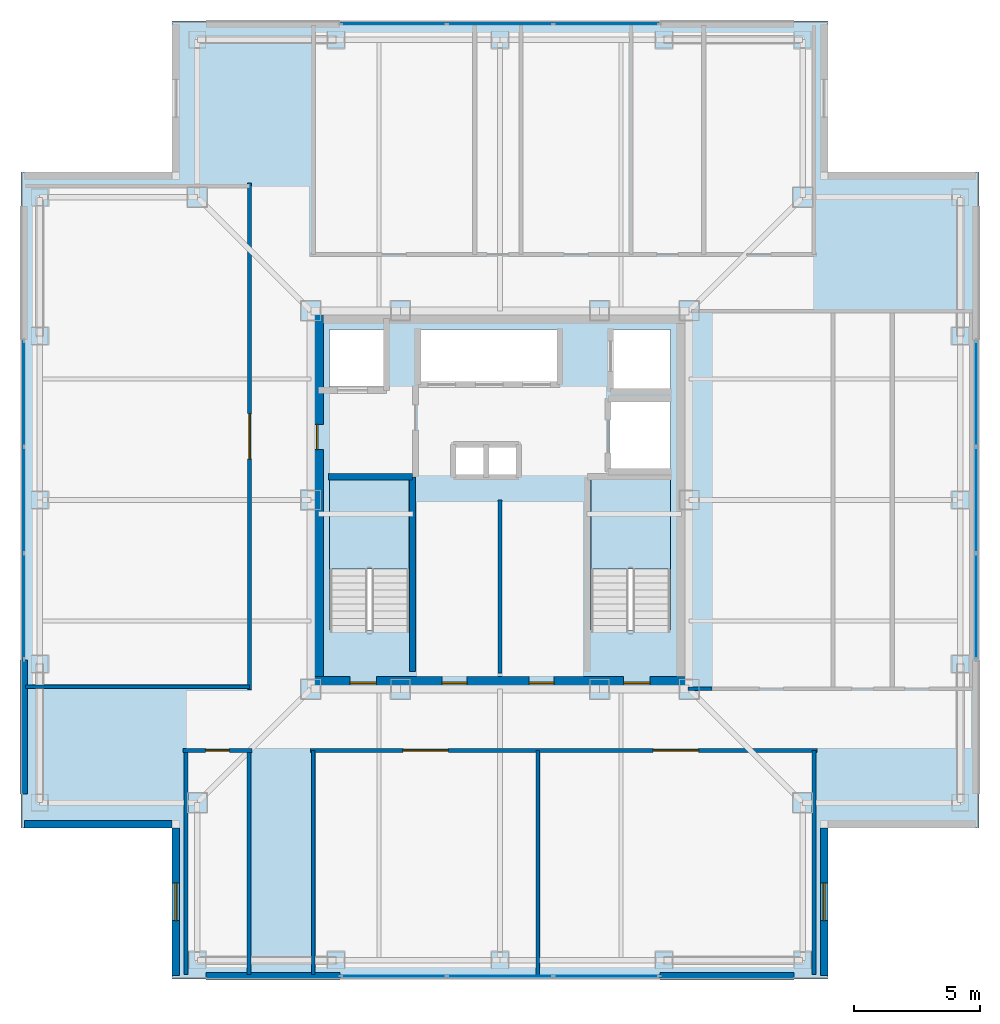
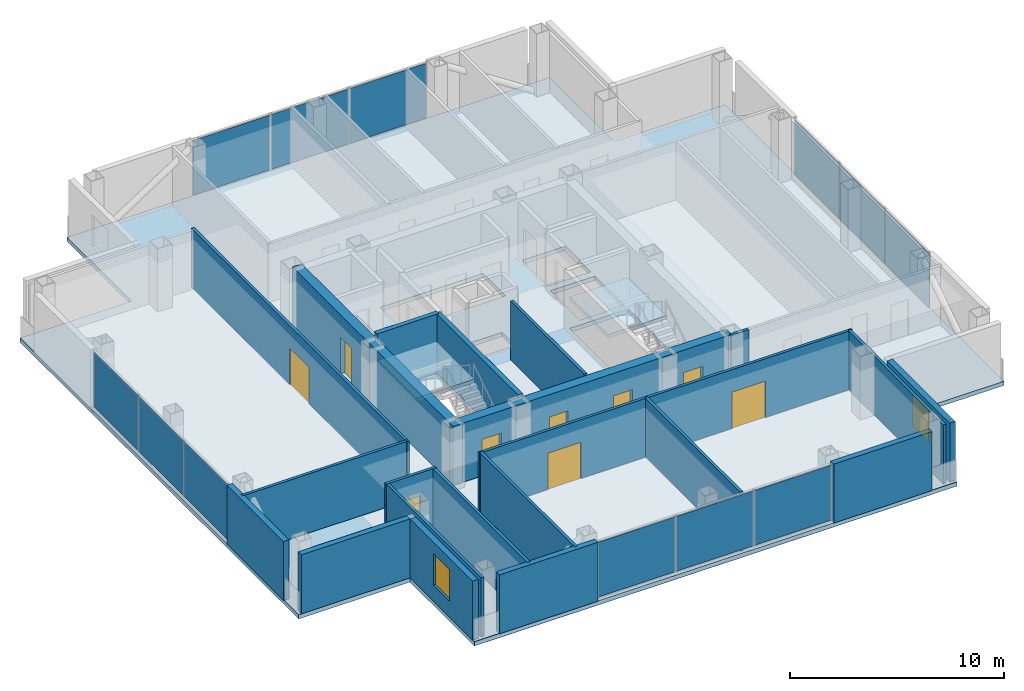
# One storey, part 8 of 16: 21 walls, 12 plates, 9 doors, 3 slabs, 2 windows, 11 openings, 6 elements without a shape of their own.
"""IFC4 building model written with IfcOpenShell, lengths in metres."""

from ifc_helpers import new_model, si_unit, direction, frame, frame_2d, origin, origin_2d, place, context, subcontext, project, spatial, polyline, rectangle, outline, extrude, material, layer, layer_set, type_object, element, fill, aggregate, save


model = new_model("IFC4")

# Units and contexts
model_context = context("Model", 3, precision=1e-05, world=origin(), true_north=direction((0.0, 1.0)))
body_context = subcontext(model_context, "Body", "Model", "MODEL_VIEW")
ifc_project = project(units=[si_unit("LENGTHUNIT", "METRE"), si_unit("AREAUNIT", "SQUARE_METRE"), si_unit("VOLUMEUNIT", "CUBIC_METRE"), si_unit("PLANEANGLEUNIT", "RADIAN"), si_unit("MASSUNIT", "GRAM", prefix="KILO")], contexts=[model_context])

# Site, building, storey
site_placement = place(None, origin())
site = spatial("IfcSite", under=ifc_project, at=site_placement, CompositionType="ELEMENT")
building_placement = place(site_placement, origin())
building = spatial("IfcBuilding", under=site, at=building_placement, Name="Trevonay Congress Spire", CompositionType="ELEMENT")
storey_placement = place(building_placement, frame((0.0, 0.0, 268.39990234375)))
storey = spatial("IfcBuildingStorey", under=building, at=storey_placement, Name="L70", CompositionType="ELEMENT", Elevation=268.39990234375)

# Curtain wall, plates
ifc_material_1 = material(Name="Pale Anodised Aluminium EN AW-6063-T6", Category="aluminium")
ifc_layer_1 = layer(ifc_material_1, 0.1650390625, Name="Pale Anodised Aluminium EN AW-6063-T6")
ifc_layer_set_1 = layer_set([ifc_layer_1], Name="Pale Anodised Aluminium EN AW-6063-T6")
curtain_wall_type = type_object("IfcCurtainWallType", Name="CW-SYS05-DIPLOM-PALE-METAL", PredefinedType="NOTDEFINED", material=ifc_layer_set_1)
curtain_wall_1_placement = place(storey_placement, origin())
curtain_wall_1 = element("IfcCurtainWall", 1, at=curtain_wall_1_placement, inside=storey, type_object=curtain_wall_type, Name="L70 S unitised curtain wall", PredefinedType="NOTDEFINED")
ifc_material_2 = material(Name="Insulated Low-E Vision Glass IGU", Category="glass")
ifc_layer_2 = layer(ifc_material_2, 0.035888671875, Name="Insulated Low-E Vision Glass IGU")
ifc_layer_set_2 = layer_set([ifc_layer_2], Name="Insulated Low-E Vision Glass IGU")
plate_type = type_object("IfcPlateType", Name="CW-PANEL-IGU36-SILVER", PredefinedType="CURTAIN_PANEL", material=ifc_layer_set_2)
plate_1_placement = place(storey_placement, frame((-4.21826171875, -18.8798828125, 0.1201171875), z_axis=(0.0, 0.0, 1.0), x_axis=(1.0, 0.0, 0.0)))
plate_1 = element("IfcPlate", 2, at=plate_1_placement, type_object=plate_type, Name="CW05 panel 1.1", PredefinedType="CURTAIN_PANEL", context=body_context, shape_type="SweptSolid", body=[
    extrude(rectangle(XDim=4.143310546875, YDim=0.035888671875, at=origin_2d()), origin(), (0.0, 0.0, 1.0), 3.1201171875),
])
plate_2_placement = place(storey_placement, frame((0.0, -18.8798828125, 0.1201171875), z_axis=(0.0, 0.0, 1.0), x_axis=(1.0, 0.0, 0.0)))
plate_2 = element("IfcPlate", 3, at=plate_2_placement, type_object=plate_type, Name="CW05 panel 2.1", PredefinedType="CURTAIN_PANEL", context=body_context, shape_type="SweptSolid", body=[
    extrude(rectangle(XDim=4.17333984375, YDim=0.035888671875, at=origin_2d()), origin(), (0.0, 0.0, 1.0), 3.1201171875),
])
plate_3_placement = place(storey_placement, frame((4.21826171875, -18.8798828125, 0.1201171875), z_axis=(0.0, 0.0, 1.0), x_axis=(1.0, 0.0, 0.0)))
plate_3 = element("IfcPlate", 4, at=plate_3_placement, type_object=plate_type, Name="CW05 panel 3.1", PredefinedType="CURTAIN_PANEL", context=body_context, shape_type="SweptSolid", body=[
    extrude(rectangle(XDim=4.143310546875, YDim=0.035888671875, at=origin_2d()), origin(), (0.0, 0.0, 1.0), 3.1201171875),
])
aggregate(curtain_wall_1, [plate_1, plate_2, plate_3])

curtain_wall_2_placement = place(storey_placement, origin())
curtain_wall_2 = element("IfcCurtainWall", 5, at=curtain_wall_2_placement, inside=storey, type_object=curtain_wall_type, Name="L70 N unitised curtain wall", PredefinedType="NOTDEFINED")
plate_4_placement = place(storey_placement, frame((-4.21826171875, 18.8798828125, 0.1201171875), z_axis=(0.0, 0.0, 1.0), x_axis=(1.0, 0.0, 0.0)))
plate_4 = element("IfcPlate", 6, at=plate_4_placement, type_object=plate_type, Name="CW05 panel 1.1", PredefinedType="CURTAIN_PANEL", context=body_context, shape_type="SweptSolid", body=[
    extrude(rectangle(XDim=4.143310546875, YDim=0.035888671875, at=origin_2d()), origin(), (0.0, 0.0, 1.0), 3.1201171875),
])
plate_5_placement = place(storey_placement, frame((0.0, 18.8798828125, 0.1201171875), z_axis=(0.0, 0.0, 1.0), x_axis=(1.0, 0.0, 0.0)))
plate_5 = element("IfcPlate", 7, at=plate_5_placement, type_object=plate_type, Name="CW05 panel 2.1", PredefinedType="CURTAIN_PANEL", context=body_context, shape_type="SweptSolid", body=[
    extrude(rectangle(XDim=4.17333984375, YDim=0.035888671875, at=origin_2d()), origin(), (0.0, 0.0, 1.0), 3.1201171875),
])
plate_6_placement = place(storey_placement, frame((4.21826171875, 18.8798828125, 0.1201171875), z_axis=(0.0, 0.0, 1.0), x_axis=(1.0, 0.0, 0.0)))
plate_6 = element("IfcPlate", 8, at=plate_6_placement, type_object=plate_type, Name="CW05 panel 3.1", PredefinedType="CURTAIN_PANEL", context=body_context, shape_type="SweptSolid", body=[
    extrude(rectangle(XDim=4.143310546875, YDim=0.035888671875, at=origin_2d()), origin(), (0.0, 0.0, 1.0), 3.1201171875),
])
aggregate(curtain_wall_2, [plate_4, plate_5, plate_6])

curtain_wall_3_placement = place(storey_placement, origin())
curtain_wall_3 = element("IfcCurtainWall", 9, at=curtain_wall_3_placement, inside=storey, type_object=curtain_wall_type, Name="L70 W unitised curtain wall", PredefinedType="NOTDEFINED")
plate_7_placement = place(storey_placement, frame((-18.8798828125, -4.21826171875, 0.1201171875), z_axis=(0.0, 0.0, 1.0), x_axis=(0.0, 1.0, 0.0)))
plate_7 = element("IfcPlate", 10, at=plate_7_placement, type_object=plate_type, Name="CW05 panel 1.1", PredefinedType="CURTAIN_PANEL", context=body_context, shape_type="SweptSolid", body=[
    extrude(rectangle(XDim=4.143310546875, YDim=0.035888671875, at=origin_2d()), origin(), (0.0, 0.0, 1.0), 3.1201171875),
])
plate_8_placement = place(storey_placement, frame((-18.8798828125, 0.0, 0.1201171875), z_axis=(0.0, 0.0, 1.0), x_axis=(0.0, 1.0, 0.0)))
plate_8 = element("IfcPlate", 11, at=plate_8_placement, type_object=plate_type, Name="CW05 panel 2.1", PredefinedType="CURTAIN_PANEL", context=body_context, shape_type="SweptSolid", body=[
    extrude(rectangle(XDim=4.17333984375, YDim=0.035888671875, at=origin_2d()), origin(), (0.0, 0.0, 1.0), 3.1201171875),
])
plate_9_placement = place(storey_placement, frame((-18.8798828125, 4.21826171875, 0.1201171875), z_axis=(0.0, 0.0, 1.0), x_axis=(0.0, 1.0, 0.0)))
plate_9 = element("IfcPlate", 12, at=plate_9_placement, type_object=plate_type, Name="CW05 panel 3.1", PredefinedType="CURTAIN_PANEL", context=body_context, shape_type="SweptSolid", body=[
    extrude(rectangle(XDim=4.143310546875, YDim=0.035888671875, at=origin_2d()), origin(), (0.0, 0.0, 1.0), 3.1201171875),
])
aggregate(curtain_wall_3, [plate_7, plate_8, plate_9])

curtain_wall_4_placement = place(storey_placement, origin())
curtain_wall_4 = element("IfcCurtainWall", 13, at=curtain_wall_4_placement, inside=storey, type_object=curtain_wall_type, Name="L70 E unitised curtain wall", PredefinedType="NOTDEFINED")
plate_10_placement = place(storey_placement, frame((18.8798828125, -4.21826171875, 0.1201171875), z_axis=(0.0, 0.0, 1.0), x_axis=(0.0, 1.0, 0.0)))
plate_10 = element("IfcPlate", 14, at=plate_10_placement, type_object=plate_type, Name="CW05 panel 1.1", PredefinedType="CURTAIN_PANEL", context=body_context, shape_type="SweptSolid", body=[
    extrude(rectangle(XDim=4.143310546875, YDim=0.035888671875, at=origin_2d()), origin(), (0.0, 0.0, 1.0), 3.1201171875),
])
plate_11_placement = place(storey_placement, frame((18.8798828125, 0.0, 0.1201171875), z_axis=(0.0, 0.0, 1.0), x_axis=(0.0, 1.0, 0.0)))
plate_11 = element("IfcPlate", 15, at=plate_11_placement, type_object=plate_type, Name="CW05 panel 2.1", PredefinedType="CURTAIN_PANEL", context=body_context, shape_type="SweptSolid", body=[
    extrude(rectangle(XDim=4.17333984375, YDim=0.035888671875, at=origin_2d()), origin(), (0.0, 0.0, 1.0), 3.1201171875),
])
plate_12_placement = place(storey_placement, frame((18.8798828125, 4.21826171875, 0.1201171875), z_axis=(0.0, 0.0, 1.0), x_axis=(0.0, 1.0, 0.0)))
plate_12 = element("IfcPlate", 16, at=plate_12_placement, type_object=plate_type, Name="CW05 panel 3.1", PredefinedType="CURTAIN_PANEL", context=body_context, shape_type="SweptSolid", body=[
    extrude(rectangle(XDim=4.143310546875, YDim=0.035888671875, at=origin_2d()), origin(), (0.0, 0.0, 1.0), 3.1201171875),
])
aggregate(curtain_wall_4, [plate_10, plate_11, plate_12])

# Stair, slab
ifc_material_3 = material(Name="Concrete C40/50", Category="concrete")
stair_type_1 = type_object("IfcStairType", Name="STR-ST-1", PredefinedType="HALF_TURN_STAIR", material=ifc_material_3)
stair_1_placement = place(storey_placement, origin())
stair_1 = element("IfcStair", 17, at=stair_1_placement, inside=storey, type_object=stair_type_1, Name="L70 Protected Exit Stair ST-1", PredefinedType="HALF_TURN_STAIR")
ifc_layer_3 = layer(ifc_material_3, 0.199951171875, Name="Concrete C40/50")
ifc_layer_set_3 = layer_set([ifc_layer_3], Name="Concrete C40/50")
slab_type_1 = type_object("IfcSlabType", Name="SLB-STAIR-LAND-200", PredefinedType="LANDING", material=ifc_layer_set_3)
slab_1_placement = place(storey_placement, frame((0.0, 0.0, 1.60009765625)))
slab_1 = element("IfcSlab", 18, at=slab_1_placement, type_object=slab_type_1, Name="ST-1 landing 1", PredefinedType="LANDING", context=body_context, shape_type="SweptSolid", body=[
    extrude(outline(polyline([(-3.60009765625, -2.72998046875), (-3.60009765625, 0.85009765625), (-6.75, 0.85009765625), (-6.75, -2.72998046875), (-3.60009765625, -2.72998046875)])), origin(), (0.0, 0.0, 1.0), 0.199951171875),
])
aggregate(stair_1, [slab_1])

stair_type_2 = type_object("IfcStairType", Name="STR-ST-2", PredefinedType="HALF_TURN_STAIR", material=ifc_material_3)
stair_2_placement = place(storey_placement, origin())
stair_2 = element("IfcStair", 19, at=stair_2_placement, inside=storey, type_object=stair_type_2, Name="L70 Protected Exit Stair ST-2", PredefinedType="HALF_TURN_STAIR")
slab_2_placement = place(storey_placement, frame((0.0, 0.0, 1.60009765625)))
slab_2 = element("IfcSlab", 20, at=slab_2_placement, type_object=slab_type_1, Name="ST-2 landing 1", PredefinedType="LANDING", context=body_context, shape_type="SweptSolid", body=[
    extrude(outline(polyline([(6.75, -2.72998046875), (6.75, 0.85009765625), (3.60009765625, 0.85009765625), (3.60009765625, -2.72998046875), (6.75, -2.72998046875)])), origin(), (0.0, 0.0, 1.0), 0.199951171875),
])
aggregate(stair_2, [slab_2])

# Slab
ifc_layer_4 = layer(ifc_material_3, 0.239990234375, Name="Concrete C40/50")
ifc_layer_set_4 = layer_set([ifc_layer_4], Name="Concrete C40/50")
slab_type_2 = type_object("IfcSlabType", Name="SLB-TOW2-240", PredefinedType="FLOOR", material=ifc_layer_set_4)
slab_3_placement = place(storey_placement, frame((0.0, 0.0, -0.239990234375)))
element("IfcSlab", 21, at=slab_3_placement, inside=storey, type_object=slab_type_2, Name="L70 structural floor slab", PredefinedType="FLOOR", context=body_context, shape_type="SweptSolid", body=[
    extrude(outline(polyline([(-13.0, -19.0), (13.0, -19.0), (13.0, -13.0), (19.0, -13.0), (19.0, 13.0), (13.0, 13.0), (13.0, 19.0), (-13.0, 19.0), (-13.0, 13.0), (-19.0, 13.0), (-19.0, -13.0), (-13.0, -13.0), (-13.0, -19.0)]), holes=[polyline([(-3.60009765625, -5.14990234375), (-3.60009765625, 0.85009765625), (-6.75, 0.85009765625), (-6.75, -5.14990234375), (-3.60009765625, -5.14990234375)]), polyline([(6.75, -5.14990234375), (6.75, 0.85009765625), (3.60009765625, 0.85009765625), (3.60009765625, -5.14990234375), (6.75, -5.14990234375)]), polyline([(-3.199951171875, 4.64990234375), (2.340087890625, 4.64990234375), (2.340087890625, 6.75), (-3.199951171875, 6.75), (-3.199951171875, 4.64990234375)]), polyline([(-6.75, 4.35009765625), (-4.449951171875, 4.35009765625), (-4.449951171875, 6.75), (-6.75, 6.75), (-6.75, 4.35009765625)]), polyline([(4.449951171875, 4.35009765625), (6.75, 4.35009765625), (6.75, 6.75), (4.449951171875, 6.75), (4.449951171875, 4.35009765625)]), polyline([(4.35009765625, 1.199951171875), (6.75, 1.199951171875), (6.75, 3.949951171875), (4.35009765625, 3.949951171875), (4.35009765625, 1.199951171875)]), polyline([(-1.800048828125, 0.949951171875), (0.699951171875, 0.949951171875), (0.699951171875, 2.14990234375), (-1.800048828125, 2.14990234375), (-1.800048828125, 0.949951171875)])]), origin(), (0.0, 0.0, 1.0), 0.239990234375),
])

# Wall, openings, doors
ifc_material_4 = material(Name="Concrete C50/60", Category="concrete")
ifc_layer_5 = layer(ifc_material_4, 0.5, Name="Concrete C50/60")
ifc_layer_set_5 = layer_set([ifc_layer_5], Name="Concrete C50/60")
wall_type_1 = type_object("IfcWallType", Name="WAL-CORE-500", PredefinedType="SHEAR", material=ifc_layer_set_5)
wall_1_placement = place(storey_placement, frame((-7.5, -7.25, 0.0), z_axis=(0.0, 0.0, 1.0), x_axis=(1.0, 0.0, 0.0)))
wall_1 = element("IfcWall", 22, at=wall_1_placement, inside=storey, type_object=wall_type_1, Name="L70 South structural core shear wall", PredefinedType="SHEAR", context=body_context, shape_type="SweptSolid", body=[
    extrude(rectangle(XDim=15.0, YDim=0.5, at=frame_2d((7.5, 0.0))), origin(), (0.0, 0.0, 1.0), 3.360107421875),
])
opening_1_placement = place(wall_1_placement, frame((1.550048828125, 0.0, 0.0)))
opening_1 = element("IfcOpeningElement", 23, at=opening_1_placement, cuts=wall_1, Name="Opening D05", PredefinedType="OPENING", context=body_context, shape_type="SweptSolid", body=[
    extrude(rectangle(XDim=1.050048828125, YDim=2.080078125, at=frame_2d((0.52490234375, 1.0400390625))), frame((0.0, 0.260009765625, 0.0), z_axis=(0.0, -1.0, 0.0), x_axis=(1.0, 0.0, 0.0)), (0.0, 0.0, 1.0), 0.52001953125),
])
opening_2_placement = place(wall_1_placement, frame((12.39990234375, 0.0, 0.0)))
opening_2 = element("IfcOpeningElement", 24, at=opening_2_placement, cuts=wall_1, Name="Opening D05", PredefinedType="OPENING", context=body_context, shape_type="SweptSolid", body=[
    extrude(rectangle(XDim=1.050048828125, YDim=2.080078125, at=frame_2d((0.52490234375, 1.0400390625))), frame((0.0, 0.260009765625, 0.0), z_axis=(0.0, -1.0, 0.0), x_axis=(1.0, 0.0, 0.0)), (0.0, 0.0, 1.0), 0.52001953125),
])
opening_3_placement = place(wall_1_placement, frame((5.199951171875, 0.0, 0.0)))
opening_3 = element("IfcOpeningElement", 25, at=opening_3_placement, cuts=wall_1, Name="Opening D06", PredefinedType="OPENING", context=body_context, shape_type="SweptSolid", body=[
    extrude(rectangle(XDim=1.0, YDim=2.080078125, at=frame_2d((0.5, 1.0400390625))), frame((0.0, 0.260009765625, 0.0), z_axis=(0.0, -1.0, 0.0), x_axis=(1.0, 0.0, 0.0)), (0.0, 0.0, 1.0), 0.52001953125),
])
opening_4_placement = place(wall_1_placement, frame((8.64990234375, 0.0, 0.0)))
opening_4 = element("IfcOpeningElement", 26, at=opening_4_placement, cuts=wall_1, Name="Opening D06", PredefinedType="OPENING", context=body_context, shape_type="SweptSolid", body=[
    extrude(rectangle(XDim=1.0, YDim=2.080078125, at=frame_2d((0.5, 1.0400390625))), frame((0.0, 0.260009765625, 0.0), z_axis=(0.0, -1.0, 0.0), x_axis=(1.0, 0.0, 0.0)), (0.0, 0.0, 1.0), 0.52001953125),
])
ifc_material_5 = material(Name="Steel ASTM A572 Grade 50", Category="steel")
door_type_1 = type_object("IfcDoorType", Name="DOR-FIRE-100", OperationType="NOTDEFINED", PredefinedType="DOOR", material=ifc_material_5)
door_1_placement = place(opening_3_placement, origin())
door_1 = element("IfcDoor", 27, at=door_1_placement, inside=storey, type_object=door_type_1, Name="L70 South Core Room 1 Door", OperationType="SINGLE_SWING_RIGHT", OverallHeight=2.080078125, OverallWidth=1.0, PredefinedType="DOOR", context=body_context, shape_type="SweptSolid", body=[
    extrude(rectangle(XDim=1.0, YDim=2.080078125, at=frame_2d((0.5, 1.0400390625))), frame((0.0, 0.02490234375, 0.0), z_axis=(0.0, -1.0, 0.0), x_axis=(1.0, 0.0, 0.0)), (0.0, 0.0, 1.0), 0.050048828125),
])
fill(opening_3, door_1)
door_2_placement = place(opening_4_placement, origin())
door_2 = element("IfcDoor", 28, at=door_2_placement, inside=storey, type_object=door_type_1, Name="L70 South Core Room 2 Door", OperationType="SINGLE_SWING_LEFT", OverallHeight=2.080078125, OverallWidth=1.0, PredefinedType="DOOR", context=body_context, shape_type="SweptSolid", body=[
    extrude(rectangle(XDim=1.0, YDim=2.080078125, at=frame_2d((0.5, 1.0400390625))), frame((0.0, 0.02490234375, 0.0), z_axis=(0.0, -1.0, 0.0), x_axis=(1.0, 0.0, 0.0)), (0.0, 0.0, 1.0), 0.050048828125),
])
fill(opening_4, door_2)
door_type_2 = type_object("IfcDoorType", Name="DOR-STAIR-110", OperationType="NOTDEFINED", PredefinedType="DOOR", material=ifc_material_5)
door_3_placement = place(opening_1_placement, origin())
door_3 = element("IfcDoor", 29, at=door_3_placement, inside=storey, type_object=door_type_2, Name="L70 Protected Stair ST-1 Door", OperationType="SINGLE_SWING_LEFT", OverallHeight=2.080078125, OverallWidth=1.050048828125, PredefinedType="DOOR", context=body_context, shape_type="SweptSolid", body=[
    extrude(rectangle(XDim=1.050048828125, YDim=2.080078125, at=frame_2d((0.52490234375, 1.0400390625))), frame((0.0, 0.02490234375, 0.0), z_axis=(0.0, -1.0, 0.0), x_axis=(1.0, 0.0, 0.0)), (0.0, 0.0, 1.0), 0.050048828125),
])
fill(opening_1, door_3)
door_4_placement = place(opening_2_placement, origin())
door_4 = element("IfcDoor", 30, at=door_4_placement, inside=storey, type_object=door_type_2, Name="L70 Protected Stair ST-2 Door", OperationType="SINGLE_SWING_RIGHT", OverallHeight=2.080078125, OverallWidth=1.050048828125, PredefinedType="DOOR", context=body_context, shape_type="SweptSolid", body=[
    extrude(rectangle(XDim=1.050048828125, YDim=2.080078125, at=frame_2d((0.52490234375, 1.0400390625))), frame((0.0, 0.02490234375, 0.0), z_axis=(0.0, -1.0, 0.0), x_axis=(1.0, 0.0, 0.0)), (0.0, 0.0, 1.0), 0.050048828125),
])
fill(opening_2, door_4)

# Wall, opening, door
wall_2_placement = place(storey_placement, frame((-7.25, -7.5, 0.0), z_axis=(0.0, 0.0, 1.0), x_axis=(0.0, 1.0, 0.0)))
wall_2 = element("IfcWall", 31, at=wall_2_placement, inside=storey, type_object=wall_type_1, Name="L70 West structural core shear wall", PredefinedType="SHEAR", context=body_context, shape_type="SweptSolid", body=[
    extrude(rectangle(XDim=15.0, YDim=0.5, at=frame_2d((7.5, 0.0))), origin(), (0.0, 0.0, 1.0), 3.360107421875),
])
opening_5_placement = place(wall_2_placement, frame((9.5, 0.0, 0.0)))
opening_5 = element("IfcOpeningElement", 32, at=opening_5_placement, cuts=wall_2, Name="Opening D06", PredefinedType="OPENING", context=body_context, shape_type="SweptSolid", body=[
    extrude(rectangle(XDim=1.0, YDim=2.080078125, at=frame_2d((0.5, 1.0400390625))), frame((0.0, 0.260009765625, 0.0), z_axis=(0.0, -1.0, 0.0), x_axis=(1.0, 0.0, 0.0)), (0.0, 0.0, 1.0), 0.52001953125),
])
door_5_placement = place(opening_5_placement, origin())
door_5 = element("IfcDoor", 33, at=door_5_placement, inside=storey, type_object=door_type_1, Name="L70 Firefighting Lift Lobby West Corridor Door", OperationType="SINGLE_SWING_LEFT", OverallHeight=2.080078125, OverallWidth=1.0, PredefinedType="DOOR", context=body_context, shape_type="SweptSolid", body=[
    extrude(rectangle(XDim=1.0, YDim=2.080078125, at=frame_2d((0.5, 1.0400390625))), frame((0.0, 0.02490234375, 0.0), z_axis=(0.0, -1.0, 0.0), x_axis=(1.0, 0.0, 0.0)), (0.0, 0.0, 1.0), 0.050048828125),
])
fill(opening_5, door_5)

ifc_layer_6 = layer(ifc_material_3, 0.14990234375, Name="Concrete C40/50")
ifc_layer_set_6 = layer_set([ifc_layer_6], Name="Concrete C40/50")
wall_type_2 = type_object("IfcWallType", Name="WAL-CORR-150", PredefinedType="PARTITIONING", material=ifc_layer_set_6)
wall_3_placement = place(storey_placement, frame((-12.570068359375, -9.929931640625, 0.0), z_axis=(0.0, 0.0, 1.0), x_axis=(1.0, 0.0, 0.0)))
wall_3 = element("IfcWall", 34, at=wall_3_placement, inside=storey, type_object=wall_type_2, Name="L70 interior wall WP-L70SW-COR", PredefinedType="PARTITIONING", context=body_context, shape_type="SweptSolid", body=[
    extrude(rectangle(XDim=2.739990234375, YDim=0.14990234375, at=frame_2d((1.3701171875, 0.0))), origin(), (0.0, 0.0, 1.0), 3.360107421875),
])
opening_6_placement = place(wall_3_placement, frame((0.89501953125, 0.0, 0.0)))
opening_6 = element("IfcOpeningElement", 35, at=opening_6_placement, cuts=wall_3, Name="Opening D07", PredefinedType="OPENING", context=body_context, shape_type="SweptSolid", body=[
    extrude(rectangle(XDim=0.949951171875, YDim=2.06005859375, at=frame_2d((0.47509765625, 1.030029296875))), frame((0.0, 0.0849609375, 0.0), z_axis=(0.0, -1.0, 0.0), x_axis=(1.0, 0.0, 0.0)), (0.0, 0.0, 1.0), 0.169921875),
])
door_type_3 = type_object("IfcDoorType", Name="DOR-OFFICE-95", OperationType="NOTDEFINED", PredefinedType="DOOR", material=ifc_material_1)
door_6_placement = place(opening_6_placement, origin())
door_6 = element("IfcDoor", 36, at=door_6_placement, inside=storey, type_object=door_type_3, Name="L70 Horizon Telescope Lounge Door", OperationType="SINGLE_SWING_LEFT", OverallHeight=2.06005859375, OverallWidth=0.949951171875, PredefinedType="DOOR", context=body_context, shape_type="SweptSolid", body=[
    extrude(rectangle(XDim=0.949951171875, YDim=2.06005859375, at=frame_2d((0.47509765625, 1.030029296875))), frame((0.0, 0.02490234375, 0.0), z_axis=(0.0, -1.0, 0.0), x_axis=(1.0, 0.0, 0.0)), (0.0, 0.0, 1.0), 0.050048828125),
])
fill(opening_6, door_6)

# Wall, openings, doors
wall_4_placement = place(storey_placement, frame((-7.52001953125, -9.929931640625, 0.0), z_axis=(0.0, 0.0, 1.0), x_axis=(1.0, 0.0, 0.0)))
wall_4 = element("IfcWall", 37, at=wall_4_placement, inside=storey, type_object=wall_type_2, Name="L70 interior wall WP-L70SE-COR", PredefinedType="PARTITIONING", context=body_context, shape_type="SweptSolid", body=[
    extrude(rectangle(XDim=20.090087890625, YDim=0.14990234375, at=frame_2d((10.044921875, 0.0))), origin(), (0.0, 0.0, 1.0), 3.360107421875),
])
opening_7_placement = place(wall_4_placement, frame((3.669921875, 0.0, 0.0)))
opening_7 = element("IfcOpeningElement", 38, at=opening_7_placement, cuts=wall_4, Name="Opening D09", PredefinedType="OPENING", context=body_context, shape_type="SweptSolid", body=[
    extrude(rectangle(XDim=1.800048828125, YDim=2.080078125, at=frame_2d((0.89990234375, 1.0400390625))), frame((0.0, 0.0849609375, 0.0), z_axis=(0.0, -1.0, 0.0), x_axis=(1.0, 0.0, 0.0)), (0.0, 0.0, 1.0), 0.169921875),
])
opening_8_placement = place(wall_4_placement, frame((13.594970703125, 0.0, 0.0)))
opening_8 = element("IfcOpeningElement", 39, at=opening_8_placement, cuts=wall_4, Name="Opening D09", PredefinedType="OPENING", context=body_context, shape_type="SweptSolid", body=[
    extrude(rectangle(XDim=1.800048828125, YDim=2.080078125, at=frame_2d((0.89990234375, 1.0400390625))), frame((0.0, 0.0849609375, 0.0), z_axis=(0.0, -1.0, 0.0), x_axis=(1.0, 0.0, 0.0)), (0.0, 0.0, 1.0), 0.169921875),
])
door_type_4 = type_object("IfcDoorType", Name="DOR-CONF-DBL", OperationType="DOUBLE_DOOR_SINGLE_SWING", PredefinedType="DOOR", material=ifc_material_1)
door_7_placement = place(opening_7_placement, origin())
door_7 = element("IfcDoor", 40, at=door_7_placement, inside=storey, type_object=door_type_4, Name="L70 Contemporary Latin Art Gallery Lounge Door", OperationType="DOUBLE_DOOR_SINGLE_SWING", OverallHeight=2.080078125, OverallWidth=1.800048828125, PredefinedType="DOOR", context=body_context, shape_type="SweptSolid", body=[
    extrude(rectangle(XDim=1.800048828125, YDim=2.080078125, at=frame_2d((0.89990234375, 1.0400390625))), frame((0.0, 0.02490234375, 0.0), z_axis=(0.0, -1.0, 0.0), x_axis=(1.0, 0.0, 0.0)), (0.0, 0.0, 1.0), 0.050048828125),
])
fill(opening_7, door_7)
door_8_placement = place(opening_8_placement, origin())
door_8 = element("IfcDoor", 41, at=door_8_placement, inside=storey, type_object=door_type_4, Name="L70 Sculpture Terrace Salon Lounge Door", OperationType="DOUBLE_DOOR_SINGLE_SWING", OverallHeight=2.080078125, OverallWidth=1.800048828125, PredefinedType="DOOR", context=body_context, shape_type="SweptSolid", body=[
    extrude(rectangle(XDim=1.800048828125, YDim=2.080078125, at=frame_2d((0.89990234375, 1.0400390625))), frame((0.0, 0.02490234375, 0.0), z_axis=(0.0, -1.0, 0.0), x_axis=(1.0, 0.0, 0.0)), (0.0, 0.0, 1.0), 0.050048828125),
])
fill(opening_8, door_8)

# Wall, opening, door
wall_5_placement = place(storey_placement, frame((-9.929931640625, -7.52001953125, 0.0), z_axis=(0.0, 0.0, 1.0), x_axis=(0.0, 1.0, 0.0)))
wall_5 = element("IfcWall", 42, at=wall_5_placement, inside=storey, type_object=wall_type_2, Name="L70 interior wall WP-L70NW-COR", PredefinedType="PARTITIONING", context=body_context, shape_type="SweptSolid", body=[
    extrude(rectangle(XDim=20.090087890625, YDim=0.14990234375, at=frame_2d((10.044921875, 0.0))), origin(), (0.0, 0.0, 1.0), 3.360107421875),
])
opening_9_placement = place(wall_5_placement, frame((9.14501953125, 0.0, 0.0)))
opening_9 = element("IfcOpeningElement", 43, at=opening_9_placement, cuts=wall_5, Name="Opening D09", PredefinedType="OPENING", context=body_context, shape_type="SweptSolid", body=[
    extrude(rectangle(XDim=1.800048828125, YDim=2.080078125, at=frame_2d((0.89990234375, 1.0400390625))), frame((0.0, 0.0849609375, 0.0), z_axis=(0.0, -1.0, 0.0), x_axis=(1.0, 0.0, 0.0)), (0.0, 0.0, 1.0), 0.169921875),
])
door_9_placement = place(opening_9_placement, origin())
door_9 = element("IfcDoor", 44, at=door_9_placement, inside=storey, type_object=door_type_4, Name="L70 Oceanographic Cartography Reading Lounge Door", OperationType="DOUBLE_DOOR_SINGLE_SWING", OverallHeight=2.080078125, OverallWidth=1.800048828125, PredefinedType="DOOR", context=body_context, shape_type="SweptSolid", body=[
    extrude(rectangle(XDim=1.800048828125, YDim=2.080078125, at=frame_2d((0.89990234375, 1.0400390625))), frame((0.0, 0.02490234375, 0.0), z_axis=(0.0, -1.0, 0.0), x_axis=(1.0, 0.0, 0.0)), (0.0, 0.0, 1.0), 0.050048828125),
])
fill(opening_9, door_9)

# Walls
wall_6_placement = place(storey_placement, frame((7.449951171875, -7.47998046875, 0.0), z_axis=(0.0, 0.0, 1.0), x_axis=(1.0, 0.0, 0.0)))
element("IfcWall", 45, at=wall_6_placement, inside=storey, type_object=wall_type_2, Name="L70 interior wall WP-L70E-STUB", PredefinedType="PARTITIONING", context=body_context, shape_type="SweptSolid", body=[
    extrude(rectangle(XDim=0.949951171875, YDim=0.14990234375, at=frame_2d((0.47509765625, 0.0))), origin(), (0.0, 0.0, 1.0), 3.360107421875),
])
ifc_material_6 = material(Name="Precast concrete C40/50", Category="concrete")
ifc_layer_7 = layer(ifc_material_6, 0.300048828125, Name="Precast concrete C40/50")
ifc_layer_set_7 = layer_set([ifc_layer_7], Name="Precast concrete C40/50")
wall_type_3 = type_object("IfcWallType", Name="WAL-EXT-PRECAST-300", PredefinedType="SOLIDWALL", material=ifc_layer_set_7)
for number, where, z_axis, x_axis, name in (
    (46, (-11.64990234375, -18.8798828125, 0.0), (0.0, 0.0, 1.0), (1.0, 0.0, 0.0), "L70 SL braced-bay exterior pier wall"),
    (47, (6.35009765625, -18.8798828125, 0.0), (0.0, 0.0, 1.0), (1.0, 0.0, 0.0), "L70 SR braced-bay exterior pier wall"),
    (48, (-18.8798828125, -11.64990234375, 0.0), (0.0, 0.0, 1.0), (0.0, 1.0, 0.0), "L70 WL braced-bay exterior pier wall"),
):
    element("IfcWall", number, at=place(storey_placement, frame(where, z_axis=z_axis, x_axis=x_axis)), inside=storey, type_object=wall_type_3, Name=name, PredefinedType="SOLIDWALL", context=body_context, shape_type="SweptSolid", body=[
        extrude(rectangle(XDim=5.2998046875, YDim=0.300048828125, at=frame_2d((2.64990234375, 0.0))), origin(), (0.0, 0.0, 1.0), 3.360107421875),
    ])

# Wall, opening, window
wall_7_placement = place(storey_placement, frame((-12.85009765625, -18.85009765625, 0.0), z_axis=(0.0, 0.0, 1.0), x_axis=(0.0, 1.0, 0.0)))
wall_7 = element("IfcWall", 49, at=wall_7_placement, inside=storey, type_object=wall_type_3, Name="L70 SW re-entrant notch exterior wall 1", PredefinedType="SOLIDWALL", context=body_context, shape_type="SweptSolid", body=[
    extrude(rectangle(XDim=5.85009765625, YDim=0.300048828125, at=frame_2d((2.925048828125, 0.0))), origin(), (0.0, 0.0, 1.0), 3.360107421875),
])
opening_10_placement = place(wall_7_placement, frame((2.175048828125, 0.0, 0.89990234375)))
opening_10 = element("IfcOpeningElement", 50, at=opening_10_placement, cuts=wall_7, Name="Opening WN03", PredefinedType="OPENING", context=body_context, shape_type="SweptSolid", body=[
    extrude(rectangle(XDim=1.5, YDim=1.800048828125, at=frame_2d((0.75, 0.89990234375))), frame((0.0, 0.16015625, 0.0), z_axis=(0.0, -1.0, 0.0), x_axis=(1.0, 0.0, 0.0)), (0.0, 0.0, 1.0), 0.320068359375),
])
window_type = type_object("IfcWindowType", Name="WIN-NOTCH-150X180", PartitioningType="SINGLE_PANEL", PredefinedType="WINDOW", material=ifc_material_2)
window_1_placement = place(opening_10_placement, origin())
window_1 = element("IfcWindow", 51, at=window_1_placement, inside=storey, type_object=window_type, Name="L70 SW corner notch window", OverallHeight=1.800048828125, OverallWidth=1.5, PartitioningType="SINGLE_PANEL", PredefinedType="WINDOW", context=body_context, shape_type="SweptSolid", body=[
    extrude(rectangle(XDim=1.5, YDim=1.800048828125, at=frame_2d((0.75, 0.89990234375))), frame((0.0, 0.030029296875, 0.0), z_axis=(0.0, -1.0, 0.0), x_axis=(1.0, 0.0, 0.0)), (0.0, 0.0, 1.0), 0.06005859375),
])
fill(opening_10, window_1)

# Wall
wall_8_placement = place(storey_placement, frame((-18.85009765625, -12.85009765625, 0.0), z_axis=(0.0, 0.0, 1.0), x_axis=(1.0, 0.0, 0.0)))
element("IfcWall", 52, at=wall_8_placement, inside=storey, type_object=wall_type_3, Name="L70 SW re-entrant notch exterior wall 2", PredefinedType="SOLIDWALL", context=body_context, shape_type="SweptSolid", body=[
    extrude(rectangle(XDim=5.85009765625, YDim=0.300048828125, at=frame_2d((2.925048828125, 0.0))), origin(), (0.0, 0.0, 1.0), 3.360107421875),
])

# Wall, opening, window
wall_9_placement = place(storey_placement, frame((12.85009765625, -18.85009765625, 0.0), z_axis=(0.0, 0.0, 1.0), x_axis=(0.0, 1.0, 0.0)))
wall_9 = element("IfcWall", 53, at=wall_9_placement, inside=storey, type_object=wall_type_3, Name="L70 SE re-entrant notch exterior wall 1", PredefinedType="SOLIDWALL", context=body_context, shape_type="SweptSolid", body=[
    extrude(rectangle(XDim=5.85009765625, YDim=0.300048828125, at=frame_2d((2.925048828125, 0.0))), origin(), (0.0, 0.0, 1.0), 3.360107421875),
])
opening_11_placement = place(wall_9_placement, frame((2.175048828125, 0.0, 0.89990234375)))
opening_11 = element("IfcOpeningElement", 54, at=opening_11_placement, cuts=wall_9, Name="Opening WN03", PredefinedType="OPENING", context=body_context, shape_type="SweptSolid", body=[
    extrude(rectangle(XDim=1.5, YDim=1.800048828125, at=frame_2d((0.75, 0.89990234375))), frame((0.0, 0.16015625, 0.0), z_axis=(0.0, -1.0, 0.0), x_axis=(1.0, 0.0, 0.0)), (0.0, 0.0, 1.0), 0.320068359375),
])
window_2_placement = place(opening_11_placement, origin())
window_2 = element("IfcWindow", 55, at=window_2_placement, inside=storey, type_object=window_type, Name="L70 SE corner notch window", OverallHeight=1.800048828125, OverallWidth=1.5, PartitioningType="SINGLE_PANEL", PredefinedType="WINDOW", context=body_context, shape_type="SweptSolid", body=[
    extrude(rectangle(XDim=1.5, YDim=1.800048828125, at=frame_2d((0.75, 0.89990234375))), frame((0.0, 0.030029296875, 0.0), z_axis=(0.0, -1.0, 0.0), x_axis=(1.0, 0.0, 0.0)), (0.0, 0.0, 1.0), 0.06005859375),
])
fill(opening_11, window_2)

# Walls
ifc_layer_8 = layer(ifc_material_3, 0.14990234375, Name="Concrete C40/50")
ifc_layer_set_8 = layer_set([ifc_layer_8], Name="Concrete C40/50")
wall_type_4 = type_object("IfcWallType", Name="WAL-PART-150", PredefinedType="PARTITIONING", material=ifc_layer_set_8)
wall_10_placement = place(storey_placement, frame((0.0, -6.85009765625, 0.0), z_axis=(0.0, 0.0, 1.0), x_axis=(0.0, 1.0, 0.0)))
element("IfcWall", 56, at=wall_10_placement, inside=storey, type_object=wall_type_4, Name="L70 interior wall CW-F0-L70", PredefinedType="PARTITIONING", context=body_context, shape_type="SweptSolid", body=[
    extrude(rectangle(XDim=6.85009765625, YDim=0.14990234375, at=frame_2d((3.425048828125, 0.0))), origin(), (0.0, 0.0, 1.0), 3.360107421875),
])
for number, where, z_axis, x_axis, name in (
    (57, (-12.449951171875, -18.820068359375, 0.0), (0.0, 0.0, 1.0), (0.0, 1.0, 0.0), "L70 interior wall WP-L70SW-DIV1"),
    (58, (-9.949951171875, -18.820068359375, 0.0), (0.0, 0.0, 1.0), (0.0, 1.0, 0.0), "L70 interior wall WP-L70SW-DIV2"),
    (59, (-7.39990234375, -18.820068359375, 0.0), (0.0, 0.0, 1.0), (0.0, 1.0, 0.0), "L70 interior wall WP-L70SE-DIV1"),
    (60, (1.5, -18.820068359375, 0.0), (0.0, 0.0, 1.0), (0.0, 1.0, 0.0), "L70 interior wall WP-L70SE-DIV2"),
    (61, (12.449951171875, -18.820068359375, 0.0), (0.0, 0.0, 1.0), (0.0, 1.0, 0.0), "L70 interior wall WP-L70SE-DIV3"),
    (62, (-18.820068359375, -7.39990234375, 0.0), (0.0, 0.0, 1.0), (1.0, 0.0, 0.0), "L70 interior wall WP-L70NW-DIV1"),
):
    element("IfcWall", number, at=place(storey_placement, frame(where, z_axis=z_axis, x_axis=x_axis)), inside=storey, type_object=wall_type_4, Name=name, PredefinedType="PARTITIONING", context=body_context, shape_type="SweptSolid", body=[
        extrude(rectangle(XDim=8.89013671875, YDim=0.14990234375, at=frame_2d((4.445068359375, 0.0))), origin(), (0.0, 0.0, 1.0), 3.360107421875),
    ])
ifc_layer_9 = layer(ifc_material_3, 0.25, Name="Concrete C40/50")
ifc_layer_set_9 = layer_set([ifc_layer_9], Name="Concrete C40/50")
wall_type_5 = type_object("IfcWallType", Name="WAL-SHAFT-LB-250", PredefinedType="SHEAR", material=ifc_layer_set_9)
wall_11_placement = place(storey_placement, frame((-3.469970703125, -6.800048828125, 0.0), z_axis=(0.0, 0.0, 1.0), x_axis=(0.0, 1.0, 0.0)))
element("IfcWall", 63, at=wall_11_placement, inside=storey, type_object=wall_type_5, Name="L70 interior shaft wall WSH-L70-ST1-E", PredefinedType="SHEAR", context=body_context, shape_type="SweptSolid", body=[
    extrude(rectangle(XDim=7.719970703125, YDim=0.25, at=frame_2d((3.85986328125, 0.0))), origin(), (0.0, 0.0, 1.0), 3.360107421875),
])
wall_12_placement = place(storey_placement, frame((-6.800048828125, 0.919921875, 0.0), z_axis=(0.0, 0.0, 1.0), x_axis=(1.0, 0.0, 0.0)))
element("IfcWall", 64, at=wall_12_placement, inside=storey, type_object=wall_type_5, Name="L70 interior shaft wall WSH-L70-ST1-N", PredefinedType="SHEAR", context=body_context, shape_type="SweptSolid", body=[
    extrude(rectangle(XDim=3.330078125, YDim=0.25, at=frame_2d((1.6650390625, 0.0))), origin(), (0.0, 0.0, 1.0), 3.360107421875),
])

save(model, "model.ifc")
